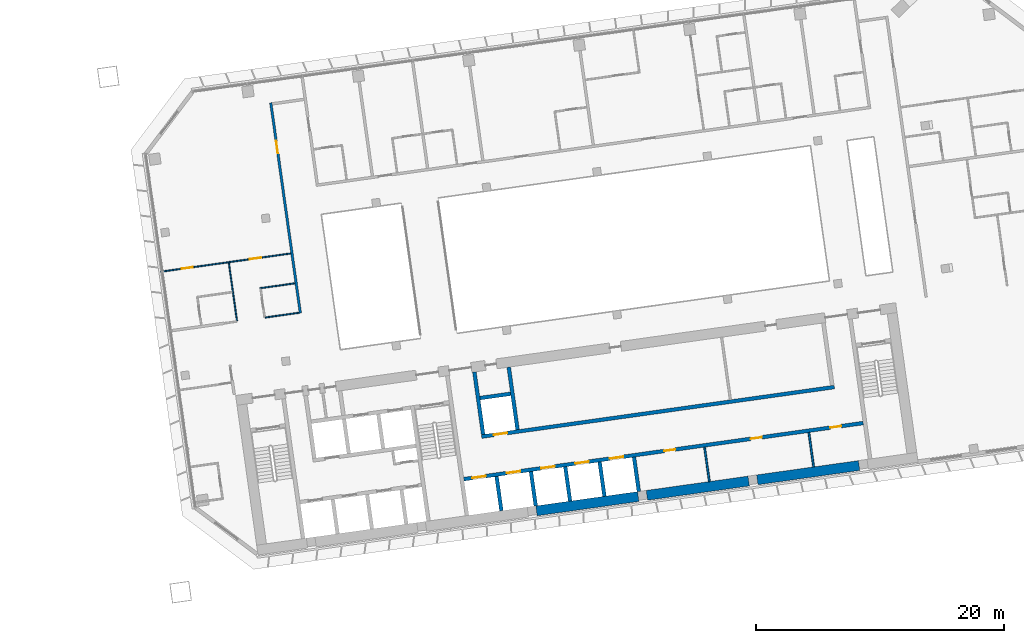
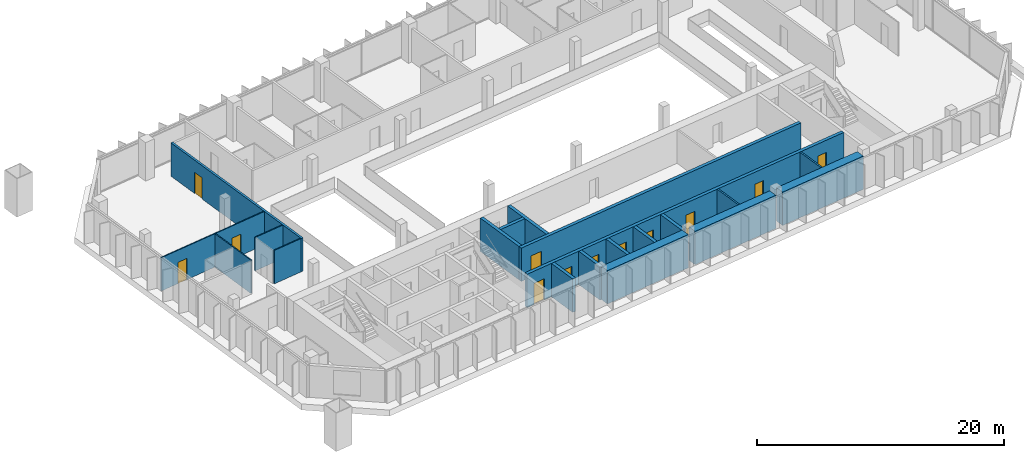
# One storey, part 23 of 34: 20 walls, 12 doors, 12 openings.
"""IFC4 building model written with IfcOpenShell, lengths in metres."""

from ifc_helpers import new_model, si_unit, direction, frame, frame_2d, origin, place, context, subcontext, project, spatial, rectangle, extrude, material, layer, layer_set, type_object, element, fill, save


model = new_model("IFC4")

# Units and contexts
model_context = context("Model", 3, precision=1e-05, world=origin(), true_north=direction((0.0, 1.0)))
body_context = subcontext(model_context, "Body", "Model", "MODEL_VIEW")
ifc_project = project(units=[si_unit("LENGTHUNIT", "METRE"), si_unit("AREAUNIT", "SQUARE_METRE"), si_unit("VOLUMEUNIT", "CUBIC_METRE"), si_unit("PLANEANGLEUNIT", "RADIAN"), si_unit("MASSUNIT", "GRAM", prefix="KILO")], contexts=[model_context])

# Site, building, storey
site_placement = place(None, origin())
site = spatial("IfcSite", under=ifc_project, at=site_placement, CompositionType="ELEMENT")
building_placement = place(site_placement, origin())
building = spatial("IfcBuilding", under=site, at=building_placement, Name="Mirante Cascada Hotel Towers", CompositionType="ELEMENT")
storey_placement = place(building_placement, frame((0.0, 0.0, 148.1)))
storey = spatial("IfcBuildingStorey", under=building, at=storey_placement, Name="L34", CompositionType="ELEMENT", Elevation=148.1)

# Wall, opening, door
ifc_material_1 = material(Name="Fire-rated plasterboard on metal studs")
ifc_layer_1 = layer(ifc_material_1, 0.2)
ifc_layer_set_1 = layer_set([ifc_layer_1], Name="Compartment wall 200 EI 120")
wall_type_1 = type_object("IfcWallType", Name="Compartment wall 200 EI 120", PredefinedType="PARTITIONING", material=ifc_layer_set_1)
wall_1_placement = place(storey_placement, frame((38.216, 16.4227, 0.0), z_axis=(0.0, 0.0, 1.0), x_axis=(0.139172, -0.9902682, 0.0)))
wall_1 = element("IfcWall", 1, at=wall_1_placement, inside=storey, type_object=wall_type_1, Name="Wall 2-L34-32", PredefinedType="PARTITIONING", context=body_context, shape_type="SweptSolid", body=[
    extrude(rectangle(XDim=17.15, YDim=0.2, at=frame_2d((8.575, 0.0))), origin(), (0.0, 0.0, 1.0), 3.3),
])
opening_1_placement = place(wall_1_placement, frame((3.1, 0.0, 0.0)))
opening_1 = element("IfcOpeningElement", 2, at=opening_1_placement, cuts=wall_1, Name="Opening D2-L34-24", PredefinedType="OPENING", context=body_context, shape_type="SweptSolid", body=[
    extrude(rectangle(XDim=1.0, YDim=2.1, at=frame_2d((0.5, 1.05))), frame((0.0, 0.1, 0.0), z_axis=(0.0, -1.0, 0.0), x_axis=(1.0, 0.0, 0.0)), (0.0, 0.0, 1.0), 0.2),
])
ifc_material_2 = material(Name="Fire-rated timber door leaf", Category="wood")
door_type_1 = type_object("IfcDoorType", Name="Entrance door DG1 1000x2100 EI 60", OperationType="SINGLE_SWING_LEFT", PredefinedType="DOOR", material=ifc_material_2)
door_1_placement = place(opening_1_placement, frame((1.0, 0.0, 0.0), z_axis=(0.0, 0.0, 1.0), x_axis=(-1.0, 0.0, 0.0)))
door_1 = element("IfcDoor", 3, at=door_1_placement, inside=storey, type_object=door_type_1, Name="Door D2-L34-24", OperationType="SINGLE_SWING_RIGHT", OverallHeight=2.1, OverallWidth=1.0, PredefinedType="DOOR", context=body_context, shape_type="SweptSolid", body=[
    extrude(rectangle(XDim=1.0, YDim=2.1, at=frame_2d((0.5, 1.05))), frame((0.0, 0.025, 0.0), z_axis=(0.0, -1.0, 0.0), x_axis=(1.0, 0.0, 0.0)), (0.0, 0.0, 1.0), 0.05),
])
fill(opening_1, door_1)

# Walls
ifc_material_3 = material(Name="Masonry block", Category="masonry")
ifc_layer_2 = layer(ifc_material_3, 0.15)
ifc_layer_set_2 = layer_set([ifc_layer_2], Name="Core room partition 150 block EI 30")
wall_type_2 = type_object("IfcWallType", Name="Core room partition 150 block EI 30", PredefinedType="PARTITIONING", material=ifc_layer_set_2)
wall_2_placement = place(storey_placement, frame((73.6152, -14.1482, 0.0), z_axis=(0.0, 0.0, 1.0), x_axis=(-0.139176, 0.9902677, 0.0)))
element("IfcWall", 4, at=wall_2_placement, inside=storey, type_object=wall_type_2, Name="Core wall partition T2 L34 5", PredefinedType="PARTITIONING", context=body_context, shape_type="SweptSolid", body=[
    extrude(rectangle(XDim=2.8001, YDim=0.15, at=frame_2d((1.4, 0.0))), origin(), (0.0, 0.0, 1.0), 3.3),
])
wall_3_placement = place(storey_placement, frame((82.0324, -12.9652, 0.0), z_axis=(0.0, 0.0, 1.0), x_axis=(-0.139141, 0.9902726, 0.0)))
element("IfcWall", 5, at=wall_3_placement, inside=storey, type_object=wall_type_2, Name="Core wall partition T2 L34 6", PredefinedType="PARTITIONING", context=body_context, shape_type="SweptSolid", body=[
    extrude(rectangle(XDim=2.8, YDim=0.15, at=frame_2d((1.4, 0.0))), origin(), (0.0, 0.0, 1.0), 3.3),
])
ifc_material_4 = material(Name="Plasterboard on metal studs")
ifc_layer_3 = layer(ifc_material_4, 0.1)
ifc_layer_set_3 = layer_set([ifc_layer_3], Name="Partition 100")
wall_type_3 = type_object("IfcWallType", Name="Partition 100", PredefinedType="PARTITIONING", material=ifc_layer_set_3)
wall_4_placement = place(storey_placement, frame((40.4671, -0.5289, 0.0), z_axis=(0.0, 0.0, 1.0), x_axis=(-0.9902645, -0.1391984, 0.0)))
element("IfcWall", 6, at=wall_4_placement, inside=storey, type_object=wall_type_3, Name="Wall 2-L34-06", PredefinedType="PARTITIONING", context=body_context, shape_type="SweptSolid", body=[
    extrude(rectangle(XDim=2.74, YDim=0.1, at=frame_2d((1.37, 0.0))), origin(), (0.0, 0.0, 1.0), 3.3),
])
wall_5_placement = place(storey_placement, frame((40.1628, 1.8519, 0.0), z_axis=(0.0, 0.0, 1.0), x_axis=(-0.9902649, -0.1391957, 0.0)))
element("IfcWall", 7, at=wall_5_placement, inside=storey, type_object=wall_type_3, Name="Wall 2-L34-10", PredefinedType="PARTITIONING", context=body_context, shape_type="SweptSolid", body=[
    extrude(rectangle(XDim=2.8499, YDim=0.1, at=frame_2d((1.425, 0.0))), origin(), (0.0, 0.0, 1.0), 3.3),
])

# Wall, openings, doors
wall_6_placement = place(storey_placement, frame((29.3273, 2.7863, 0.0), z_axis=(0.0, 0.0, 1.0), x_axis=(0.9902686, 0.1391691, 0.0)))
wall_6 = element("IfcWall", 8, at=wall_6_placement, inside=storey, type_object=wall_type_3, Name="Wall 2-L34-11", PredefinedType="PARTITIONING", context=body_context, shape_type="SweptSolid", body=[
    extrude(rectangle(XDim=10.6001, YDim=0.1, at=frame_2d((5.3, 0.0))), origin(), (0.0, 0.0, 1.0), 3.3),
])
opening_2_placement = place(wall_6_placement, frame((1.725, 0.0, 0.0)))
opening_2 = element("IfcOpeningElement", 9, at=opening_2_placement, cuts=wall_6, Name="Opening D2-L34-02", PredefinedType="OPENING", context=body_context, shape_type="SweptSolid", body=[
    extrude(rectangle(XDim=0.9, YDim=2.1, at=frame_2d((0.45, 1.05))), frame((0.0, 0.05, 0.0), z_axis=(0.0, -1.0, 0.0), x_axis=(1.0, 0.0, 0.0)), (0.0, 0.0, 1.0), 0.1),
])
opening_3_placement = place(wall_6_placement, frame((7.275, 0.0, 0.0)))
opening_3 = element("IfcOpeningElement", 10, at=opening_3_placement, cuts=wall_6, Name="Opening D2-L34-03", PredefinedType="OPENING", context=body_context, shape_type="SweptSolid", body=[
    extrude(rectangle(XDim=0.9, YDim=2.1, at=frame_2d((0.45, 1.05))), frame((0.0, 0.05, 0.0), z_axis=(0.0, -1.0, 0.0), x_axis=(1.0, 0.0, 0.0)), (0.0, 0.0, 1.0), 0.1),
])
ifc_material_5 = material(Name="Timber door leaf", Category="wood")
door_type_2 = type_object("IfcDoorType", Name="Room door DG3 900x2100", OperationType="SINGLE_SWING_LEFT", PredefinedType="DOOR", material=ifc_material_5)
door_2_placement = place(opening_2_placement, origin())
door_2 = element("IfcDoor", 11, at=door_2_placement, inside=storey, type_object=door_type_2, Name="Door D2-L34-02", OperationType="SINGLE_SWING_LEFT", OverallHeight=2.1, OverallWidth=0.9, PredefinedType="DOOR", context=body_context, shape_type="SweptSolid", body=[
    extrude(rectangle(XDim=0.9, YDim=2.1, at=frame_2d((0.45, 1.05))), frame((0.0, 0.025, 0.0), z_axis=(0.0, -1.0, 0.0), x_axis=(1.0, 0.0, 0.0)), (0.0, 0.0, 1.0), 0.05),
])
fill(opening_2, door_2)
door_3_placement = place(opening_3_placement, origin())
door_3 = element("IfcDoor", 12, at=door_3_placement, inside=storey, type_object=door_type_2, Name="Door D2-L34-03", OperationType="SINGLE_SWING_LEFT", OverallHeight=2.1, OverallWidth=0.9, PredefinedType="DOOR", context=body_context, shape_type="SweptSolid", body=[
    extrude(rectangle(XDim=0.9, YDim=2.1, at=frame_2d((0.45, 1.05))), frame((0.0, 0.025, 0.0), z_axis=(0.0, -1.0, 0.0), x_axis=(1.0, 0.0, 0.0)), (0.0, 0.0, 1.0), 0.05),
])
fill(opening_3, door_3)

# Wall
wall_7_placement = place(storey_placement, frame((34.8303, 3.5092, 0.0), z_axis=(0.0, 0.0, 1.0), x_axis=(0.1391613, -0.9902697, 0.0)))
element("IfcWall", 13, at=wall_7_placement, inside=storey, type_object=wall_type_3, Name="Wall 2-L34-30", PredefinedType="PARTITIONING", context=body_context, shape_type="SweptSolid", body=[
    extrude(rectangle(XDim=4.7334, YDim=0.1, at=frame_2d((2.3667, 0.0))), origin(), (0.0, 0.0, 1.0), 3.3),
])

# Wall, openings, doors
ifc_material_6 = material(Name="Concrete C50/60", Category="concrete")
ifc_layer_4 = layer(ifc_material_6, 0.3)
ifc_layer_set_4 = layer_set([ifc_layer_4], Name="RC core wall 300 C50/60")
wall_type_4 = type_object("IfcWallType", Name="RC core wall 300 C50/60", PredefinedType="SHEAR", material=ifc_layer_set_4)
wall_8_placement = place(storey_placement, frame((53.7953, -13.9547, 0.0), z_axis=(0.0, 0.0, 1.0), x_axis=(0.990268, 0.1391733, 0.0)))
wall_8 = element("IfcWall", 14, at=wall_8_placement, inside=storey, type_object=wall_type_4, Name="Core wall T2:L34:25", PredefinedType="SHEAR", context=body_context, shape_type="SweptSolid", body=[
    extrude(rectangle(XDim=32.5501, YDim=0.3, at=frame_2d((16.275, 0.0))), origin(), (0.0, 0.0, 1.0), 3.3),
])
opening_4_placement = place(wall_8_placement, frame((0.7, 0.0, 0.0)))
opening_4 = element("IfcOpeningElement", 15, at=opening_4_placement, cuts=wall_8, Name="Opening LD", PredefinedType="OPENING", context=body_context, shape_type="SweptSolid", body=[
    extrude(rectangle(XDim=1.1, YDim=2.1, at=frame_2d((0.55, 1.05))), frame((0.0, 0.15, 0.0), z_axis=(0.0, -1.0, 0.0), x_axis=(1.0, 0.0, 0.0)), (0.0, 0.0, 1.0), 0.3),
])
opening_5_placement = place(wall_8_placement, frame((3.5, 0.0, 0.0)))
opening_5 = element("IfcOpeningElement", 16, at=opening_5_placement, cuts=wall_8, Name="Opening LD", PredefinedType="OPENING", context=body_context, shape_type="SweptSolid", body=[
    extrude(rectangle(XDim=1.1, YDim=2.1, at=frame_2d((0.55, 1.05))), frame((0.0, 0.15, 0.0), z_axis=(0.0, -1.0, 0.0), x_axis=(1.0, 0.0, 0.0)), (0.0, 0.0, 1.0), 0.3),
])
opening_6_placement = place(wall_8_placement, frame((6.3, 0.0, 0.0)))
opening_6 = element("IfcOpeningElement", 17, at=opening_6_placement, cuts=wall_8, Name="Opening LD", PredefinedType="OPENING", context=body_context, shape_type="SweptSolid", body=[
    extrude(rectangle(XDim=1.1, YDim=2.1, at=frame_2d((0.55, 1.05))), frame((0.0, 0.15, 0.0), z_axis=(0.0, -1.0, 0.0), x_axis=(1.0, 0.0, 0.0)), (0.0, 0.0, 1.0), 0.3),
])
opening_7_placement = place(wall_8_placement, frame((9.1, 0.0, 0.0)))
opening_7 = element("IfcOpeningElement", 18, at=opening_7_placement, cuts=wall_8, Name="Opening LD", PredefinedType="OPENING", context=body_context, shape_type="SweptSolid", body=[
    extrude(rectangle(XDim=1.1, YDim=2.1, at=frame_2d((0.55, 1.05))), frame((0.0, 0.15, 0.0), z_axis=(0.0, -1.0, 0.0), x_axis=(1.0, 0.0, 0.0)), (0.0, 0.0, 1.0), 0.3),
])
opening_8_placement = place(wall_8_placement, frame((11.9, 0.0, 0.0)))
opening_8 = element("IfcOpeningElement", 19, at=opening_8_placement, cuts=wall_8, Name="Opening LD", PredefinedType="OPENING", context=body_context, shape_type="SweptSolid", body=[
    extrude(rectangle(XDim=1.1, YDim=2.1, at=frame_2d((0.55, 1.05))), frame((0.0, 0.15, 0.0), z_axis=(0.0, -1.0, 0.0), x_axis=(1.0, 0.0, 0.0)), (0.0, 0.0, 1.0), 0.3),
])
opening_9_placement = place(wall_8_placement, frame((16.35, 0.0, 0.0)))
opening_9 = element("IfcOpeningElement", 20, at=opening_9_placement, cuts=wall_8, Name="Opening D2-34-C26", PredefinedType="OPENING", context=body_context, shape_type="SweptSolid", body=[
    extrude(rectangle(XDim=0.9, YDim=2.1, at=frame_2d((0.45, 1.05))), frame((0.0, 0.15, 0.0), z_axis=(0.0, -1.0, 0.0), x_axis=(1.0, 0.0, 0.0)), (0.0, 0.0, 1.0), 0.3),
])
opening_10_placement = place(wall_8_placement, frame((23.4, 0.0, 0.0)))
opening_10 = element("IfcOpeningElement", 21, at=opening_10_placement, cuts=wall_8, Name="Opening D2-34-C27", PredefinedType="OPENING", context=body_context, shape_type="SweptSolid", body=[
    extrude(rectangle(XDim=0.9, YDim=2.1, at=frame_2d((0.45, 1.05))), frame((0.0, 0.15, 0.0), z_axis=(0.0, -1.0, 0.0), x_axis=(1.0, 0.0, 0.0)), (0.0, 0.0, 1.0), 0.3),
])
opening_11_placement = place(wall_8_placement, frame((29.875, 0.0, 0.0)))
opening_11 = element("IfcOpeningElement", 22, at=opening_11_placement, cuts=wall_8, Name="Opening D2-34-C28", PredefinedType="OPENING", context=body_context, shape_type="SweptSolid", body=[
    extrude(rectangle(XDim=0.9, YDim=2.1, at=frame_2d((0.45, 1.05))), frame((0.0, 0.15, 0.0), z_axis=(0.0, -1.0, 0.0), x_axis=(1.0, 0.0, 0.0)), (0.0, 0.0, 1.0), 0.3),
])
ifc_material_7 = material(Name="Hollow metal fire door leaf")
door_type_3 = type_object("IfcDoorType", Name="Fire door 900x2100 FD60", OperationType="NOTDEFINED", PredefinedType="DOOR", material=ifc_material_7)
door_4_placement = place(opening_9_placement, frame((0.9, 0.0, 0.0), z_axis=(0.0, 0.0, 1.0), x_axis=(-1.0, 0.0, 0.0)))
door_4 = element("IfcDoor", 23, at=door_4_placement, inside=storey, type_object=door_type_3, Name="Room door T2 L34 26", OperationType="SINGLE_SWING_LEFT", OverallHeight=2.1, OverallWidth=0.9, PredefinedType="DOOR", context=body_context, shape_type="SweptSolid", body=[
    extrude(rectangle(XDim=0.9, YDim=2.1, at=frame_2d((0.45, 1.05))), frame((0.0, 0.025, 0.0), z_axis=(0.0, -1.0, 0.0), x_axis=(1.0, 0.0, 0.0)), (0.0, 0.0, 1.0), 0.05),
])
fill(opening_9, door_4)
door_5_placement = place(opening_10_placement, frame((0.9, 0.0, 0.0), z_axis=(0.0, 0.0, 1.0), x_axis=(-1.0, 0.0, 0.0)))
door_5 = element("IfcDoor", 24, at=door_5_placement, inside=storey, type_object=door_type_3, Name="Room door T2 L34 27", OperationType="SINGLE_SWING_RIGHT", OverallHeight=2.1, OverallWidth=0.9, PredefinedType="DOOR", context=body_context, shape_type="SweptSolid", body=[
    extrude(rectangle(XDim=0.9, YDim=2.1, at=frame_2d((0.45, 1.05))), frame((0.0, 0.025, 0.0), z_axis=(0.0, -1.0, 0.0), x_axis=(1.0, 0.0, 0.0)), (0.0, 0.0, 1.0), 0.05),
])
fill(opening_10, door_5)
door_6_placement = place(opening_11_placement, frame((0.9, 0.0, 0.0), z_axis=(0.0, 0.0, 1.0), x_axis=(-1.0, 0.0, 0.0)))
door_6 = element("IfcDoor", 25, at=door_6_placement, inside=storey, type_object=door_type_3, Name="Room door T2 L34 28", OperationType="SINGLE_SWING_RIGHT", OverallHeight=2.1, OverallWidth=0.9, PredefinedType="DOOR", context=body_context, shape_type="SweptSolid", body=[
    extrude(rectangle(XDim=0.9, YDim=2.1, at=frame_2d((0.45, 1.05))), frame((0.0, 0.025, 0.0), z_axis=(0.0, -1.0, 0.0), x_axis=(1.0, 0.0, 0.0)), (0.0, 0.0, 1.0), 0.05),
])
fill(opening_11, door_6)
ifc_material_8 = material(Name="Stainless steel", Category="steel")
door_type_4 = type_object("IfcDoorType", Name="Lift landing door 1100x2100 EI 120", OperationType="DOUBLE_DOOR_SLIDING", PredefinedType="DOOR", material=ifc_material_8)
door_7_placement = place(opening_4_placement, origin())
door_7 = element("IfcDoor", 26, at=door_7_placement, inside=storey, type_object=door_type_4, Name="Lift landing door LR2-1 L34", OperationType="DOUBLE_DOOR_SLIDING", OverallHeight=2.1, OverallWidth=1.1, PredefinedType="DOOR", context=body_context, shape_type="SweptSolid", body=[
    extrude(rectangle(XDim=0.545, YDim=2.1, at=frame_2d((0.2725, 1.05))), frame((0.0, 0.025, 0.0), z_axis=(0.0, -1.0, 0.0), x_axis=(1.0, 0.0, 0.0)), (0.0, 0.0, 1.0), 0.05),
    extrude(rectangle(XDim=0.545, YDim=2.1, at=frame_2d((0.8275, 1.05))), frame((0.0, 0.025, 0.0), z_axis=(0.0, -1.0, 0.0), x_axis=(1.0, 0.0, 0.0)), (0.0, 0.0, 1.0), 0.05),
])
fill(opening_4, door_7)
door_8_placement = place(opening_5_placement, origin())
door_8 = element("IfcDoor", 27, at=door_8_placement, inside=storey, type_object=door_type_4, Name="Lift landing door LR2-2 L34", OperationType="DOUBLE_DOOR_SLIDING", OverallHeight=2.1, OverallWidth=1.1, PredefinedType="DOOR", context=body_context, shape_type="SweptSolid", body=[
    extrude(rectangle(XDim=0.545, YDim=2.1, at=frame_2d((0.2725, 1.05))), frame((0.0, 0.025, 0.0), z_axis=(0.0, -1.0, 0.0), x_axis=(1.0, 0.0, 0.0)), (0.0, 0.0, 1.0), 0.05),
    extrude(rectangle(XDim=0.545, YDim=2.1, at=frame_2d((0.8275, 1.05))), frame((0.0, 0.025, 0.0), z_axis=(0.0, -1.0, 0.0), x_axis=(1.0, 0.0, 0.0)), (0.0, 0.0, 1.0), 0.05),
])
fill(opening_5, door_8)
door_9_placement = place(opening_6_placement, origin())
door_9 = element("IfcDoor", 28, at=door_9_placement, inside=storey, type_object=door_type_4, Name="Lift landing door SV2-1 L34", OperationType="DOUBLE_DOOR_SLIDING", OverallHeight=2.1, OverallWidth=1.1, PredefinedType="DOOR", context=body_context, shape_type="SweptSolid", body=[
    extrude(rectangle(XDim=0.545, YDim=2.1, at=frame_2d((0.2725, 1.05))), frame((0.0, 0.025, 0.0), z_axis=(0.0, -1.0, 0.0), x_axis=(1.0, 0.0, 0.0)), (0.0, 0.0, 1.0), 0.05),
    extrude(rectangle(XDim=0.545, YDim=2.1, at=frame_2d((0.8275, 1.05))), frame((0.0, 0.025, 0.0), z_axis=(0.0, -1.0, 0.0), x_axis=(1.0, 0.0, 0.0)), (0.0, 0.0, 1.0), 0.05),
])
fill(opening_6, door_9)
door_10_placement = place(opening_7_placement, origin())
door_10 = element("IfcDoor", 29, at=door_10_placement, inside=storey, type_object=door_type_4, Name="Lift landing door SV2-2 L34", OperationType="DOUBLE_DOOR_SLIDING", OverallHeight=2.1, OverallWidth=1.1, PredefinedType="DOOR", context=body_context, shape_type="SweptSolid", body=[
    extrude(rectangle(XDim=0.545, YDim=2.1, at=frame_2d((0.2725, 1.05))), frame((0.0, 0.025, 0.0), z_axis=(0.0, -1.0, 0.0), x_axis=(1.0, 0.0, 0.0)), (0.0, 0.0, 1.0), 0.05),
    extrude(rectangle(XDim=0.545, YDim=2.1, at=frame_2d((0.8275, 1.05))), frame((0.0, 0.025, 0.0), z_axis=(0.0, -1.0, 0.0), x_axis=(1.0, 0.0, 0.0)), (0.0, 0.0, 1.0), 0.05),
])
fill(opening_7, door_10)
door_11_placement = place(opening_8_placement, origin())
door_11 = element("IfcDoor", 30, at=door_11_placement, inside=storey, type_object=door_type_4, Name="Lift landing door SV2-3 L34", OperationType="DOUBLE_DOOR_SLIDING", OverallHeight=2.1, OverallWidth=1.1, PredefinedType="DOOR", context=body_context, shape_type="SweptSolid", body=[
    extrude(rectangle(XDim=0.545, YDim=2.1, at=frame_2d((0.2725, 1.05))), frame((0.0, 0.025, 0.0), z_axis=(0.0, -1.0, 0.0), x_axis=(1.0, 0.0, 0.0)), (0.0, 0.0, 1.0), 0.05),
    extrude(rectangle(XDim=0.545, YDim=2.1, at=frame_2d((0.8275, 1.05))), frame((0.0, 0.025, 0.0), z_axis=(0.0, -1.0, 0.0), x_axis=(1.0, 0.0, 0.0)), (0.0, 0.0, 1.0), 0.05),
])
fill(opening_8, door_11)

# Walls
for number, where, z_axis, x_axis, name in (
    (31, (56.8301, -16.5072, 0.0), (0.0, 0.0, 1.0), (-0.139176, 0.9902677, 0.0), "Core wall T2:L34:26"),
    (32, (59.6029, -16.1175, 0.0), (0.0, 0.0, 1.0), (-0.139176, 0.9902677, 0.0), "Core wall T2:L34:27"),
    (33, (62.3756, -15.7278, 0.0), (0.0, 0.0, 1.0), (-0.139176, 0.9902677, 0.0), "Core wall T2:L34:28"),
    (34, (65.1484, -15.3381, 0.0), (0.0, 0.0, 1.0), (-0.139176, 0.9902677, 0.0), "Core wall T2:L34:29"),
):
    element("IfcWall", number, at=place(storey_placement, frame(where, z_axis=z_axis, x_axis=x_axis)), inside=storey, type_object=wall_type_4, Name=name, PredefinedType="SHEAR", context=body_context, shape_type="SweptSolid", body=[
        extrude(rectangle(XDim=2.8001, YDim=0.3, at=frame_2d((1.4, 0.0))), origin(), (0.0, 0.0, 1.0), 3.3),
    ])
wall_9_placement = place(storey_placement, frame((67.9211, -14.9484, 0.0), z_axis=(0.0, 0.0, 1.0), x_axis=(-0.139181, 0.990267, 0.0)))
element("IfcWall", 35, at=wall_9_placement, inside=storey, type_object=wall_type_4, Name="Core wall T2:L34:30", PredefinedType="SHEAR", context=body_context, shape_type="SweptSolid", body=[
    extrude(rectangle(XDim=2.8, YDim=0.3, at=frame_2d((1.4, 0.0))), origin(), (0.0, 0.0, 1.0), 3.3),
])

# Wall, opening, door
wall_10_placement = place(storey_placement, frame((55.2315, -10.5214, 0.0), z_axis=(0.0, 0.0, 1.0), x_axis=(0.9902682, 0.1391722, 0.0)))
wall_10 = element("IfcWall", 36, at=wall_10_placement, inside=storey, type_object=wall_type_4, Name="Core wall T2:L34:33", PredefinedType="SHEAR", context=body_context, shape_type="SweptSolid", body=[
    extrude(rectangle(XDim=28.75, YDim=0.3, at=frame_2d((14.375, 0.0))), origin(), (0.0, 0.0, 1.0), 3.3),
])
opening_12_placement = place(wall_10_placement, frame((1.0, 0.0, 0.0)))
opening_12 = element("IfcOpeningElement", 37, at=opening_12_placement, cuts=wall_10, Name="Opening LD", PredefinedType="OPENING", context=body_context, shape_type="SweptSolid", body=[
    extrude(rectangle(XDim=1.1, YDim=2.1, at=frame_2d((0.55, 1.05))), frame((0.0, 0.15, 0.0), z_axis=(0.0, -1.0, 0.0), x_axis=(1.0, 0.0, 0.0)), (0.0, 0.0, 1.0), 0.3),
])
door_12_placement = place(opening_12_placement, origin())
door_12 = element("IfcDoor", 38, at=door_12_placement, inside=storey, type_object=door_type_4, Name="Lift landing door LR2-3 L34", OperationType="DOUBLE_DOOR_SLIDING", OverallHeight=2.1, OverallWidth=1.1, PredefinedType="DOOR", context=body_context, shape_type="SweptSolid", body=[
    extrude(rectangle(XDim=0.545, YDim=2.1, at=frame_2d((0.2725, 1.05))), frame((0.0, 0.025, 0.0), z_axis=(0.0, -1.0, 0.0), x_axis=(1.0, 0.0, 0.0)), (0.0, 0.0, 1.0), 0.05),
    extrude(rectangle(XDim=0.545, YDim=2.1, at=frame_2d((0.8275, 1.05))), frame((0.0, 0.025, 0.0), z_axis=(0.0, -1.0, 0.0), x_axis=(1.0, 0.0, 0.0)), (0.0, 0.0, 1.0), 0.05),
])
fill(opening_12, door_12)

# Walls
for number, where, z_axis, x_axis, name in (
    (39, (55.3592, -10.352, 0.0), (0.0, 0.0, 1.0), (-0.1391755, 0.9902677, 0.0), "Core wall T2:L34:34"),
    (40, (58.1319, -9.9623, 0.0), (0.0, 0.0, 1.0), (-0.1391755, 0.9902677, 0.0), "Core wall T2:L34:36"),
):
    element("IfcWall", number, at=place(storey_placement, frame(where, z_axis=z_axis, x_axis=x_axis)), inside=storey, type_object=wall_type_4, Name=name, PredefinedType="SHEAR", context=body_context, shape_type="SweptSolid", body=[
        extrude(rectangle(XDim=5.1, YDim=0.3, at=frame_2d((2.55, 0.0))), origin(), (0.0, 0.0, 1.0), 3.3),
    ])
wall_11_placement = place(storey_placement, frame((55.0971, -7.4098, 0.0), z_axis=(0.0, 0.0, 1.0), x_axis=(0.9902701, 0.1391586, 0.0)))
element("IfcWall", 41, at=wall_11_placement, inside=storey, type_object=wall_type_4, Name="Core wall T2:L34:37", PredefinedType="SHEAR", context=body_context, shape_type="SweptSolid", body=[
    extrude(rectangle(XDim=2.5, YDim=0.3, at=frame_2d((1.25, 0.0))), origin(), (0.0, 0.0, 1.0), 3.3),
])
ifc_material_9 = material(Name="Concrete C50/60", Category="concrete")
ifc_layer_5 = layer(ifc_material_9, 0.8)
ifc_layer_set_5 = layer_set([ifc_layer_5], Name="RC core wall 800 C50/60")
wall_type_5 = type_object("IfcWallType", Name="RC core wall 800 C50/60", PredefinedType="SHEAR", material=ifc_layer_set_5)
for number, where, z_axis, x_axis, name in (
    (42, (59.6585, -16.5136, 0.0), (0.0, 0.0, 1.0), (0.9902672, 0.1391793, 0.0), "Core wall T2:L34:1.4"),
    (43, (68.5709, -15.261, 0.0), (0.0, 0.0, 1.0), (0.9902689, 0.1391675, 0.0), "Core wall T2:L34:1.5"),
):
    element("IfcWall", number, at=place(storey_placement, frame(where, z_axis=z_axis, x_axis=x_axis)), inside=storey, type_object=wall_type_5, Name=name, PredefinedType="SHEAR", context=body_context, shape_type="SweptSolid", body=[
        extrude(rectangle(XDim=8.3001, YDim=0.8, at=frame_2d((4.15, 0.0))), origin(), (0.0, 0.0, 1.0), 3.3),
    ])
wall_12_placement = place(storey_placement, frame((77.4834, -14.0085, 0.0), z_axis=(0.0, 0.0, 1.0), x_axis=(0.990267, 0.139181, 0.0)))
element("IfcWall", 44, at=wall_12_placement, inside=storey, type_object=wall_type_5, Name="Core wall T2:L34:1.6", PredefinedType="SHEAR", context=body_context, shape_type="SweptSolid", body=[
    extrude(rectangle(XDim=8.3, YDim=0.8, at=frame_2d((4.15, 0.0))), origin(), (0.0, 0.0, 1.0), 3.3),
])

save(model, "model.ifc")
